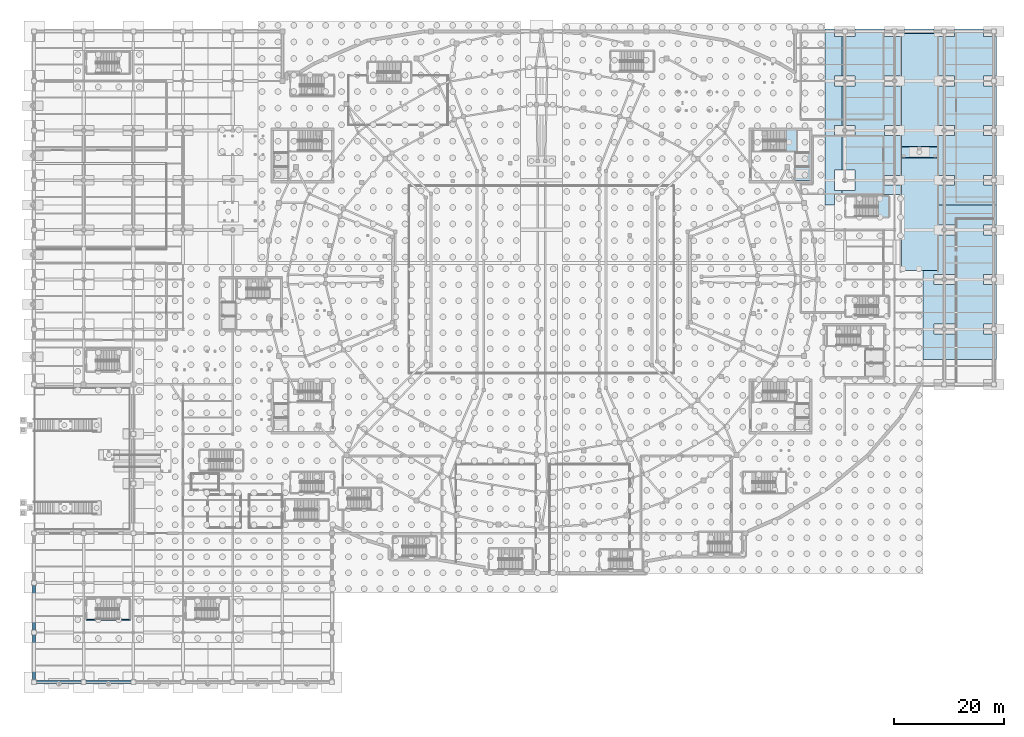
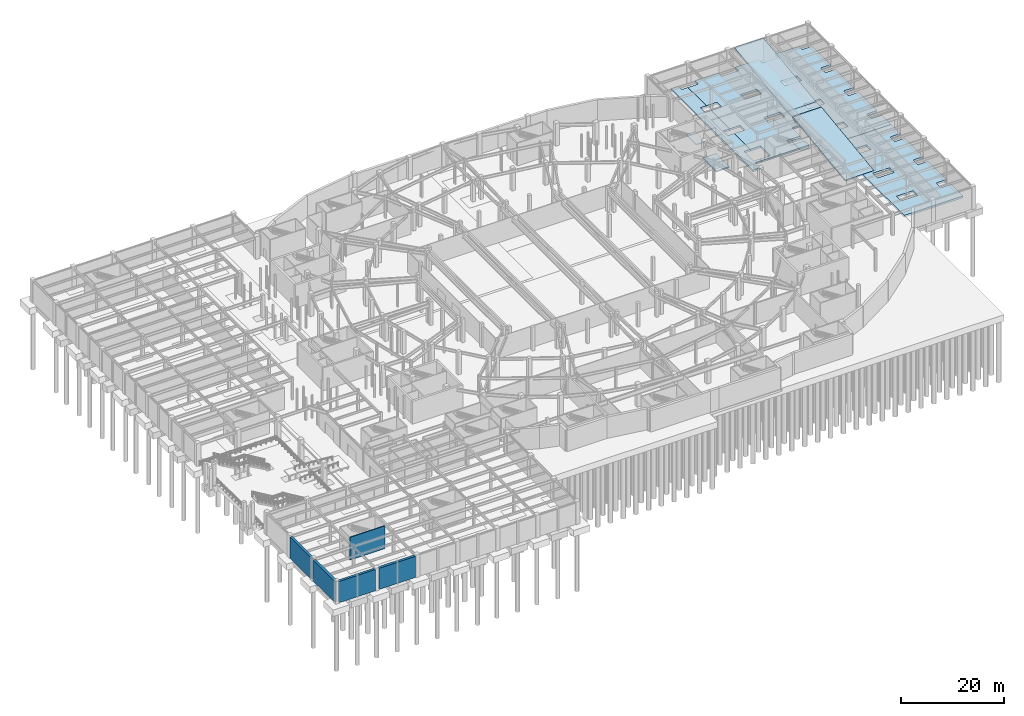
# One storey, part 40 of 56: 9 slabs, 5 walls, 2 elements without a shape of their own.
"""IFC4 building model written with IfcOpenShell, lengths in metres."""

from ifc_helpers import new_model, si_unit, direction, frame, frame_2d, origin, place, context, subcontext, project, spatial, polyline, rectangle, outline, extrude, material, layer, layer_set, type_object, element, aggregate, save


model = new_model("IFC4")

# Units and contexts
model_context = context("Model", 3, precision=1e-05, world=origin(), true_north=direction((0.0, 1.0)))
body_context = subcontext(model_context, "Body", "Model", "MODEL_VIEW")
ifc_project = project(units=[si_unit("LENGTHUNIT", "METRE"), si_unit("AREAUNIT", "SQUARE_METRE"), si_unit("VOLUMEUNIT", "CUBIC_METRE"), si_unit("PLANEANGLEUNIT", "RADIAN"), si_unit("MASSUNIT", "GRAM", prefix="KILO")], contexts=[model_context])

# Site, building, storey
site_placement = place(None, origin())
site = spatial("IfcSite", under=ifc_project, at=site_placement, CompositionType="ELEMENT")
building_placement = place(site_placement, origin())
building = spatial("IfcBuilding", under=site, at=building_placement, Name="Glasvene Arena", CompositionType="ELEMENT")
storey_placement = place(building_placement, frame((0.0, 0.0, -5.39990234375)))
storey = spatial("IfcBuildingStorey", under=building, at=storey_placement, Name="B1", CompositionType="ELEMENT", Elevation=-5.39990234375)

# Slabs
ifc_material = material(Name="Concrete C40/50", Category="concrete")
ifc_layer_1 = layer(ifc_material, 0.449951171875)
ifc_layer_set_1 = layer_set([ifc_layer_1], Name="Concrete C40/50")
slab_type_1 = type_object("IfcSlabType", Name="SL-B1-450", PredefinedType="BASESLAB", material=ifc_layer_set_1)
slab_1_placement = place(storey_placement, frame((169.990966796875, 74.695556640625, -0.4501953125)))
element("IfcSlab", 1, at=slab_1_placement, inside=storey, type_object=slab_type_1, Name="Structural floor slab B1 sector 3-6 (8)", PredefinedType="BASESLAB", context=body_context, shape_type="SweptSolid", body=[
    extrude(outline(polyline([(4.458984375, 8.204345703125), (2.158935546875, 8.204345703125), (2.158935546875, 6.404541015625), (4.458984375, 6.404541015625), (4.458984375, -0.795654296875), (2.158935546875, -0.795654296875), (2.158935546875, -2.595458984375), (4.458984375, -2.595458984375), (4.458984375, -9.795654296875), (2.158935546875, -9.795654296875), (2.158935546875, -11.595458984375), (4.458984375, -11.595458984375), (4.458984375, -16.195556640625), (-8.791015625, -16.195556640625), (-8.791015625, -0.045654296875), (-6.19091796875, -0.045654296875), (-6.19091796875, 6.404541015625), (-3.140869140625, 6.404541015625), (-3.140869140625, 8.204345703125), (-6.19091796875, 8.204345703125), (-6.19091796875, 11.804443359375), (4.458984375, 11.804443359375), (4.458984375, 8.204345703125)]), holes=[polyline([(-3.140869140625, -11.595458984375), (-3.140869140625, -9.795654296875), (-6.841064453125, -9.795654296875), (-6.841064453125, -11.595458984375), (-3.140869140625, -11.595458984375)]), polyline([(-6.841064453125, -2.595458984375), (-3.140869140625, -2.595458984375), (-3.140869140625, -0.795654296875), (-6.841064453125, -0.795654296875), (-6.841064453125, -2.595458984375)])]), origin(), (0.0, 0.0, 1.0), 0.4501953125),
])
slab_2_placement = place(storey_placement, frame((145.518310546875, 101.050048828125, -0.4501953125)))
element("IfcSlab", 2, at=slab_2_placement, inside=storey, type_object=slab_type_1, Name="Structural floor slab B1 sector 4-5 (13)", PredefinedType="BASESLAB", context=body_context, shape_type="SweptSolid", body=[
    extrude(outline(polyline([(-2.084228515625, 17.39990234375), (-0.368408203125, 17.39990234375), (-0.368408203125, 16.050048828125), (0.981689453125, 16.050048828125), (0.981689453125, 8.849853515625), (-0.368408203125, 8.849853515625), (-0.368408203125, 7.050048828125), (0.981689453125, 7.050048828125), (0.981689453125, -0.150146484375), (-0.368408203125, -0.150146484375), (-0.368408203125, -1.949951171875), (0.981689453125, -1.949951171875), (0.981689453125, -8.199951171875), (-0.368408203125, -8.199951171875), (-0.368408203125, -11.900146484375), (0.981689453125, -11.900146484375), (0.981689453125, -12.60009765625), (-0.368408203125, -12.60009765625), (-0.368408203125, -14.550048828125), (-2.084228515625, -14.550048828125), (-2.084228515625, 17.39990234375)])), origin(), (0.0, 0.0, 1.0), 0.4501953125),
])
slab_3_placement = place(storey_placement, frame((160.4921875, 102.22314453125, -0.4501953125)))
element("IfcSlab", 3, at=slab_3_placement, inside=storey, type_object=slab_type_1, Name="Structural floor slab B1 sector 4-6 (14)", PredefinedType="BASESLAB", context=body_context, shape_type="SweptSolid", body=[
    extrude(outline(polyline([(-11.64208984375, 14.876953125), (-11.64208984375, 16.226806640625), (-6.34228515625, 16.226806640625), (-6.34228515625, 14.876953125), (-2.64208984375, 14.876953125), (-2.64208984375, 16.226806640625), (2.65771484375, 16.226806640625), (2.65771484375, 14.876953125), (6.35791015625, 14.876953125), (6.35791015625, 16.226806640625), (11.65771484375, 16.226806640625), (11.65771484375, 14.876953125), (13.957763671875, 14.876953125), (13.957763671875, 7.6767578125), (11.65771484375, 7.6767578125), (11.65771484375, 5.876953125), (13.957763671875, 5.876953125), (13.957763671875, -1.3232421875), (11.65771484375, -1.3232421875), (11.65771484375, -3.123046875), (13.957763671875, -3.123046875), (13.957763671875, -10.3232421875), (11.65771484375, -10.3232421875), (11.65771484375, -12.123046875), (13.957763671875, -12.123046875), (13.957763671875, -15.72314453125), (3.307861328125, -15.72314453125), (3.307861328125, -12.123046875), (6.35791015625, -12.123046875), (6.35791015625, -10.3232421875), (3.307861328125, -10.3232421875), (3.307861328125, -7.123046875), (-3.292236328125, -7.123046875), (-3.292236328125, -10.3232421875), (-6.34228515625, -10.3232421875), (-6.34228515625, -12.123046875), (-3.292236328125, -12.123046875), (-3.292236328125, -13.773193359375), (-13.9921875, -13.773193359375), (-13.9921875, -13.0732421875), (-11.64208984375, -13.0732421875), (-11.64208984375, -9.373046875), (-13.9921875, -9.373046875), (-13.9921875, -3.123046875), (-11.64208984375, -3.123046875), (-11.64208984375, -1.3232421875), (-13.9921875, -1.3232421875), (-13.9921875, 5.876953125), (-11.64208984375, 5.876953125), (-11.64208984375, 7.6767578125), (-13.9921875, 7.6767578125), (-13.9921875, 14.876953125), (-11.64208984375, 14.876953125)]), holes=[polyline([(-1.84228515625, -7.023193359375), (1.85791015625, -7.023193359375), (1.85791015625, -5.22314453125), (-1.84228515625, -5.22314453125), (-1.84228515625, -7.023193359375)]), polyline([(2.65771484375, -3.123046875), (6.35791015625, -3.123046875), (6.35791015625, -1.3232421875), (2.65771484375, -1.3232421875), (2.65771484375, -3.123046875)]), polyline([(-6.34228515625, -3.123046875), (-2.64208984375, -3.123046875), (-2.64208984375, -1.3232421875), (-6.34228515625, -1.3232421875), (-6.34228515625, -3.123046875)]), polyline([(6.35791015625, 5.876953125), (6.35791015625, 7.6767578125), (2.65771484375, 7.6767578125), (2.65771484375, 5.876953125), (6.35791015625, 5.876953125)]), polyline([(-6.34228515625, 5.876953125), (-2.64208984375, 5.876953125), (-2.64208984375, 7.6767578125), (-6.34228515625, 7.6767578125), (-6.34228515625, 5.876953125)])]), origin(), (0.0, 0.0, 1.0), 0.4501953125),
])

# Stair, slab
stair_type_1 = type_object("IfcStairType", Name="ST-HT-540-170", PredefinedType="HALF_TURN_STAIR", material=ifc_material)
stair_1_placement = place(storey_placement, origin())
stair_1 = element("IfcStair", 4, at=stair_1_placement, inside=storey, type_object=stair_type_1, Name="Protected escape stair ST-02 (B1 to L00)", PredefinedType="HALF_TURN_STAIR")
ifc_layer_2 = layer(ifc_material, 0.219970703125)
ifc_layer_set_2 = layer_set([ifc_layer_2], Name="Concrete C40/50")
slab_type_2 = type_object("IfcSlabType", Name="SL-LAND-220", PredefinedType="LANDING", material=ifc_layer_set_2)
slab_4_placement = place(storey_placement, frame((137.300048828125, 98.175048828125, 2.47998046875)))
slab_4 = element("IfcSlab", 5, at=slab_4_placement, type_object=slab_type_2, Name="Protected escape stair ST-02 (B1 to L00) landing 1", PredefinedType="LANDING", context=body_context, shape_type="SweptSolid", body=[
    extrude(outline(polyline([(-1.0, -1.925048828125), (1.0, -1.925048828125), (1.0, 1.925048828125), (-1.0, 1.925048828125), (-1.0, -1.925048828125)])), origin(), (0.0, 0.0, 1.0), 0.219970703125),
])
aggregate(stair_1, [slab_4])

stair_type_2 = type_object("IfcStairType", Name="ST-HT-540-165", PredefinedType="HALF_TURN_STAIR", material=ifc_material)
stair_2_placement = place(storey_placement, origin())
stair_2 = element("IfcStair", 6, at=stair_2_placement, inside=storey, type_object=stair_type_2, Name="Protected escape stair ST-B05 (B1 to L00)", PredefinedType="HALF_TURN_STAIR")
slab_5_placement = place(storey_placement, frame((154.0, 86.175048828125, 2.47998046875)))
slab_5 = element("IfcSlab", 7, at=slab_5_placement, type_object=slab_type_2, Name="Protected escape stair ST-B05 (B1 to L00) landing 1", PredefinedType="LANDING", context=body_context, shape_type="SweptSolid", body=[
    extrude(outline(polyline([(-1.0, -1.875), (1.0, -1.875), (1.0, 1.875), (-1.0, 1.875), (-1.0, -1.875)])), origin(), (0.0, 0.0, 1.0), 0.219970703125),
])
aggregate(stair_2, [slab_5])

# Slabs
ifc_layer_3 = layer(ifc_material, 0.320068359375)
ifc_layer_set_3 = layer_set([ifc_layer_3], Name="Concrete C40/50")
slab_type_3 = type_object("IfcSlabType", Name="SL-LAND-320", PredefinedType="LANDING", material=ifc_layer_set_3)
slab_6_placement = place(storey_placement, frame((160.5, 96.070068359375, 2.3798828125)))
element("IfcSlab", 8, at=slab_6_placement, inside=storey, type_object=slab_type_3, Name="Heavy goods vehicle servicing ramp RP-V1 landing 1", PredefinedType="LANDING", context=body_context, shape_type="SweptSolid", body=[
    extrude(outline(polyline([(-3.25, -0.969970703125), (3.25, -0.969970703125), (3.25, 0.969970703125), (-3.25, 0.969970703125), (-3.25, -0.969970703125)])), origin(), (0.0, 0.0, 1.0), 0.320068359375),
])
ifc_layer_4 = layer(ifc_material, 0.300048828125)
ifc_layer_set_4 = layer_set([ifc_layer_4], Name="Concrete C40/50")
slab_type_4 = type_object("IfcSlabType", Name="SL-PIT-300", PredefinedType="BASESLAB", material=ifc_layer_set_4)
slab_7_placement = place(storey_placement, frame((139.22509765625, 93.52490234375, -1.2001953125)))
element("IfcSlab", 9, at=slab_7_placement, inside=storey, type_object=slab_type_4, Name="Core C2 lift pit base slab", PredefinedType="BASESLAB", context=body_context, shape_type="SweptSolid", body=[
    extrude(outline(polyline([(-1.47509765625, -2.574951171875), (1.474853515625, -2.574951171875), (1.474853515625, 2.5751953125), (-1.47509765625, 2.5751953125), (-1.47509765625, -2.574951171875)])), origin(), (0.0, 0.0, 1.0), 0.300048828125),
])
ifc_layer_5 = layer(ifc_material, 0.320068359375)
ifc_layer_set_5 = layer_set([ifc_layer_5], Name="Concrete C40/50")
slab_type_5 = type_object("IfcSlabType", Name="SL-RAMP-320", PredefinedType="USERDEFINED", material=ifc_layer_set_5)
slab_8_placement = place(storey_placement, frame((157.25, 74.60009765625, 0.0), z_axis=(0.0, -0.130891398879, 0.991396712572), x_axis=(1.0, 0.0, 0.0)))
element("IfcSlab", 10, at=slab_8_placement, inside=storey, type_object=slab_type_5, Name="Heavy goods vehicle servicing ramp RP-V1 structural slab lower flight", ObjectType="VEHICLE RAMP SLAB", PredefinedType="USERDEFINED", context=body_context, shape_type="SweptSolid", body=[
    extrude(outline(polyline([(0.0, 0.0), (6.5, 0.0), (6.5, 20.6274147498561), (0.0, 20.6274147498561), (0.0, 0.0)])), origin(), (0.0, 0.0, -1.0), 0.320068359375),
])
slab_9_placement = place(storey_placement, frame((157.25, 97.10009765625, 2.699951171875), z_axis=(0.0, -0.130452071463, 0.991454616738), x_axis=(1.0, 0.0, 0.0)))
element("IfcSlab", 11, at=slab_9_placement, inside=storey, type_object=slab_type_5, Name="Heavy goods vehicle servicing ramp RP-V1 structural slab upper flight", ObjectType="VEHICLE RAMP SLAB", PredefinedType="USERDEFINED", context=body_context, shape_type="SweptSolid", body=[
    extrude(outline(polyline([(0.0, 0.0), (6.5, 0.0), (6.5, 20.69688232303094), (0.0, 20.69688232303094), (0.0, 0.0)])), origin(), (0.0, 0.0, -1.0), 0.320068359375),
])

# Walls
ifc_layer_6 = layer(ifc_material, 0.550048828125)
ifc_layer_set_6 = layer_set([ifc_layer_6], Name="Concrete C40/50")
wall_type_1 = type_object("IfcWallType", Name="WL-RET-550", PredefinedType="SOLIDWALL", material=ifc_layer_set_6)
for number, where, z_axis, x_axis, name in (
    (12, (17.548095703125, 0.0, 0.0), (0.0, 0.0, 1.0), (-1.0, 0.0, 0.0), "Basement retaining wall B1-070"),
    (13, (8.548095703125, 0.0, 0.0), (0.0, 0.0, 1.0), (-1.0, 0.0, 0.0), "Basement retaining wall B1-071"),
    (14, (0.0, 0.451904296875, 0.0), (0.0, 0.0, 1.0), (0.0, 1.0, 0.0), "Basement retaining wall B1-072"),
    (15, (0.0, 9.451904296875, 0.0), (0.0, 0.0, 1.0), (0.0, 1.0, 0.0), "Basement retaining wall B1-073"),
):
    element("IfcWall", number, at=place(storey_placement, frame(where, z_axis=z_axis, x_axis=x_axis)), inside=storey, type_object=wall_type_1, Name=name, PredefinedType="SOLIDWALL", context=body_context, shape_type="SweptSolid", body=[
        extrude(rectangle(XDim=8.09619140625, YDim=0.550048828125, at=frame_2d((4.048095703125, 0.0))), origin(), (0.0, 0.0, 1.0), 5.039794921875),
    ])
ifc_layer_7 = layer(ifc_material, 0.199951171875)
ifc_layer_set_7 = layer_set([ifc_layer_7], Name="Concrete C40/50")
wall_type_2 = type_object("IfcWallType", Name="WL-SHAFT-200", PredefinedType="SHEAR", material=ifc_layer_set_7)
wall_placement = place(storey_placement, frame((9.449951171875, 11.280029296875, 0.0), z_axis=(0.0, 0.0, 1.0), x_axis=(1.0, 0.0, 0.0)))
element("IfcWall", 16, at=wall_placement, inside=storey, type_object=wall_type_2, Name="Escape stair shaft wall ST-B02 B1 S", PredefinedType="SHEAR", context=body_context, shape_type="SweptSolid", body=[
    extrude(rectangle(XDim=7.949951171875, YDim=0.199951171875, at=frame_2d((3.97509765625, 0.0))), origin(), (0.0, 0.0, 1.0), 5.39990234375),
])

save(model, "model.ifc")
